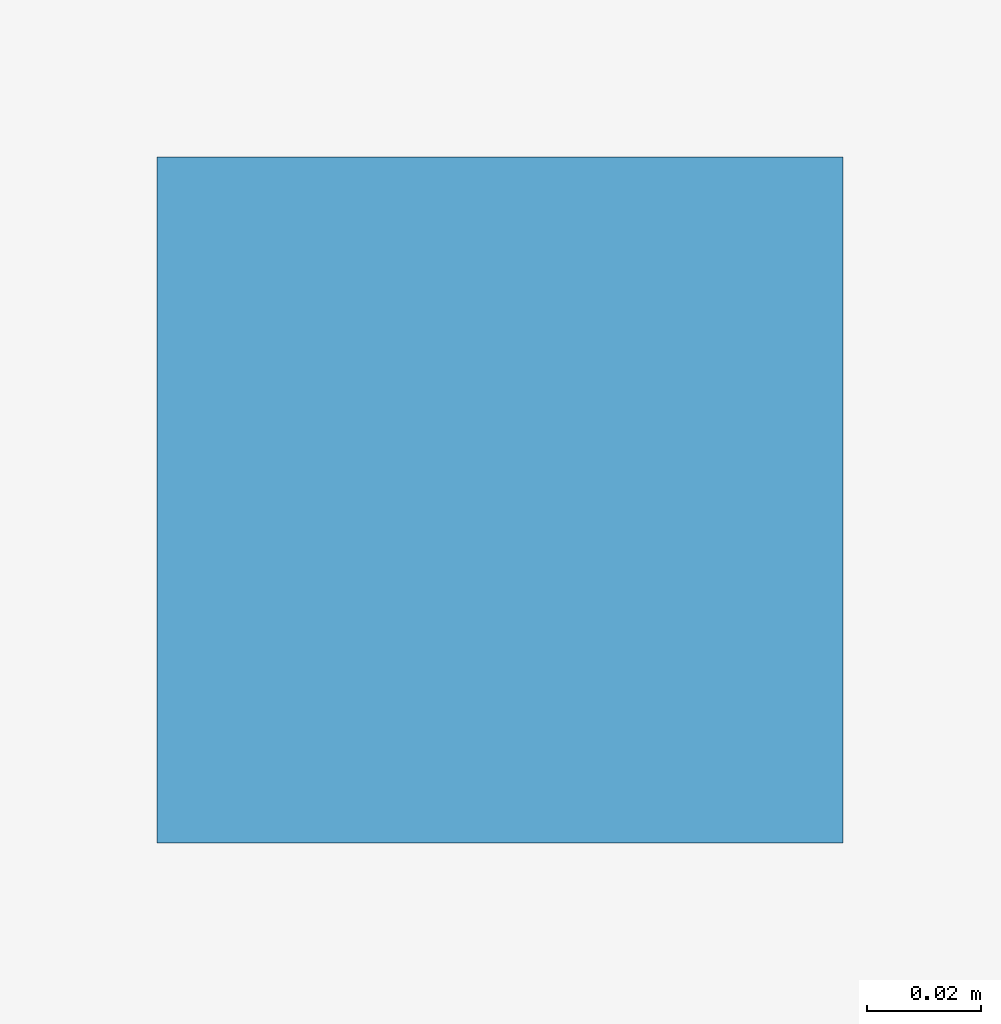
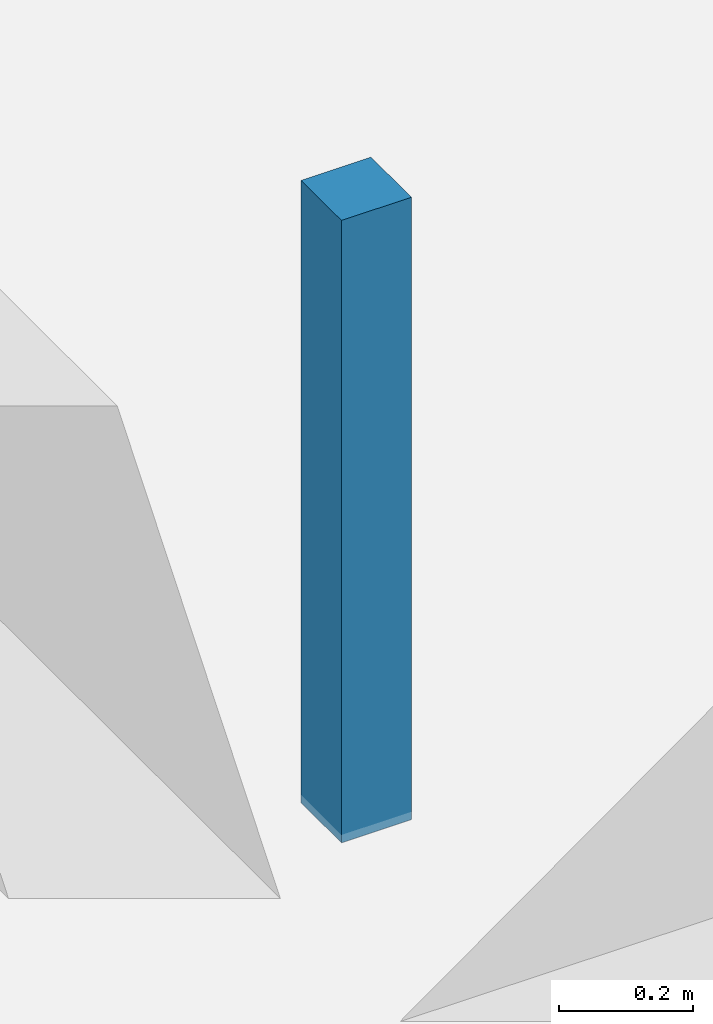
# One storey, part 29 of 41: 1 discrete accessory.
"""IFC4 building model written with IfcOpenShell, lengths in metres."""

import ifcopenshell
import ifcopenshell.guid

model = None  # the IFC model being written
_history = None  # IfcOwnerHistory: only IFC2X3 demands one
_inside = {}  # id of a spatial element -> (the spatial element, [elements in it])
_under = {}  # id of a project, library or spatial element -> (it, [spatial elements below it])
_declared = {}  # id of a project -> (the project, [libraries it declares])
_typed = {}  # id of a type object -> (the type object, [elements of that type])
_made_of = {}  # id of a material, layer set ... -> (it, [elements and type objects made of it])


def new_model(schema):
    """Start an empty IFC model of exactly this schema.

    Asked for "IFC4X3", IfcOpenShell would pick the latest addendum, in which some entities
    have other attributes; the version numbers below select the first issue.
    IFC2X3 requires an IfcOwnerHistory on every rooted entity: one is made here for all.
    """
    global model, _history
    if schema == "IFC4X3":
        model = ifcopenshell.file(schema_version=(4, 3, 0, 0))
    else:
        model = ifcopenshell.file(schema=schema)
    _inside.clear()
    _under.clear()
    _declared.clear()
    _typed.clear()
    _made_of.clear()
    _history = None
    if model.schema == "IFC2X3":
        org = make("IfcOrganization", Name="unknown")
        user = make(
            "IfcPersonAndOrganization",
            ThePerson=make("IfcPerson", FamilyName="unknown"),
            TheOrganization=org,
        )
        app = make(
            "IfcApplication",
            ApplicationDeveloper=org,
            Version="unknown",
            ApplicationFullName="unknown",
            ApplicationIdentifier="unknown",
        )
        _history = make(
            "IfcOwnerHistory",
            OwningUser=user,
            OwningApplication=app,
            ChangeAction="ADDED",
            CreationDate=0,
        )
    return model


def make(cls, **values):
    """One entity of the class cls with the attributes given. An attribute that is None is left unset."""
    return model.create_entity(
        cls, **{name: value for name, value in values.items() if value is not None}
    )


def rooted(cls, **values):
    """An entity with a GlobalId (a new one), such as an element, a storey or a relation."""
    return make(cls, GlobalId=ifcopenshell.guid.new(), OwnerHistory=_history, **values)


def si_unit(unit_type, name, prefix=None):
    """IfcSIUnit, for example si_unit("LENGTHUNIT", "METRE", prefix="MILLI")."""
    return make("IfcSIUnit", UnitType=unit_type, Prefix=prefix, Name=name)


def assignment(units):
    """IfcUnitAssignment: the units of a project."""
    return None if units is None else make("IfcUnitAssignment", Units=units)


def point(xyz):
    """IfcCartesianPoint."""
    return None if xyz is None else make("IfcCartesianPoint", Coordinates=xyz)


def direction(xyz):
    """IfcDirection."""
    return None if xyz is None else make("IfcDirection", DirectionRatios=xyz)


def frame(location, z_axis=None, x_axis=None):
    """IfcAxis2Placement3D, a coordinate frame: its origin and axes. An axis left out is left unset."""
    return make(
        "IfcAxis2Placement3D",
        Location=point(location),
        Axis=direction(z_axis),
        RefDirection=direction(x_axis),
    )


def frame_2d(location, x_axis=None):
    """IfcAxis2Placement2D, a coordinate frame in the plane: its origin and x axis."""
    return make(
        "IfcAxis2Placement2D", Location=point(location), RefDirection=direction(x_axis)
    )


def origin():
    """The frame at (0, 0, 0) with its axes left unset."""
    return frame((0.0, 0.0, 0.0))


def origin_2d():
    """The frame at (0, 0) in the plane with its x axis left unset."""
    return frame_2d((0.0, 0.0))


def place(relative_to, where):
    """IfcLocalPlacement: puts the frame where relative to a parent placement (None: the world)."""
    return make(
        "IfcLocalPlacement", PlacementRelTo=relative_to, RelativePlacement=where
    )


def context(
    kind, dimensions, precision=None, world=None, true_north=None, identifier=None
):
    """IfcGeometricRepresentationContext, for example the 3D "Model" context."""
    return make(
        "IfcGeometricRepresentationContext",
        ContextIdentifier=identifier,
        ContextType=kind,
        CoordinateSpaceDimension=dimensions,
        Precision=precision,
        WorldCoordinateSystem=world,
        TrueNorth=true_north,
    )


def subcontext(parent, identifier, kind, view, scale=None):
    """IfcGeometricRepresentationSubContext, for example "Body" below "Model"."""
    return make(
        "IfcGeometricRepresentationSubContext",
        ContextIdentifier=identifier,
        ContextType=kind,
        ParentContext=parent,
        TargetScale=scale,
        TargetView=view,
    )


def project(units=None, contexts=None):
    """IfcProject with its units and contexts."""
    return rooted(
        "IfcProject",
        Name="project",
        RepresentationContexts=contexts,
        UnitsInContext=assignment(units),
    )


def spatial(cls, under=None, at=None, **own):
    """A site, building, storey or space (cls), placed at a placement, below another one or the project."""
    s = rooted(cls, ObjectPlacement=at, **own)
    if under is not None:
        _under.setdefault(under.id(), (under, []))[1].append(s)
    return s


def profile(cls, at=None, kind="AREA", **sizes):
    """A parametric profile (cls). Its sizes go by their IFC names, for example OverallWidth=200.0."""
    return make(cls, ProfileType=kind, Position=at, **sizes)


def rectangle(**sizes):
    """IfcRectangleProfileDef."""
    return profile("IfcRectangleProfileDef", **sizes)


def extrude(swept, where, along, depth):
    """IfcExtrudedAreaSolid: the profile swept, set in the frame where, extruded along a direction by depth."""
    return make(
        "IfcExtrudedAreaSolid",
        SweptArea=swept,
        Position=where,
        ExtrudedDirection=direction(along),
        Depth=depth,
    )


def shape(context_of_items, identifier, shape_type, items):
    """IfcShapeRepresentation: the items that make up one representation, for example the "Body"."""
    return make(
        "IfcShapeRepresentation",
        ContextOfItems=context_of_items,
        RepresentationIdentifier=identifier,
        RepresentationType=shape_type,
        Items=items,
    )


def material(Name=None, Category=None):
    """IfcMaterial."""
    return make("IfcMaterial", Name=Name, Category=Category)


def made_of(thing, what):
    """Note that an element or type object is made of a material, layer set ...; save() writes the relation."""
    if what is not None:
        _made_of.setdefault(what.id(), (what, []))[1].append(thing)
    return thing


def type_object(cls, material=None, **own):
    """A type object (cls), such as IfcWallType, which elements share."""
    return made_of(rooted(cls, **own), material)


def element(
    cls,
    number,
    at=None,
    inside=None,
    cuts=None,
    type_object=None,
    material=None,
    context=None,
    identifier="Body",
    shape_type=None,
    held_by="IfcProductDefinitionShape",
    body=None,
    shapes=None,
    **own,
):
    """One element of the class cls, such as IfcWall. Its Tag is "e" and its number.

    at: its placement. inside: the storey or other place that contains it. cuts: it is an
    opening in that element (IfcRelVoidsElement). A single representation is given by context,
    identifier, shape_type and body (its items); several are given by shapes. held_by: the class
    of the entity that holds the representations. save() writes the other relations.
    """
    e = rooted(cls, Tag="e%d" % number, ObjectPlacement=at, **own)
    if body is not None:
        shapes = [shape(context, identifier, shape_type, body)]
    if shapes is not None:
        e.Representation = make(held_by, Representations=shapes)
    if inside is not None:
        _inside.setdefault(inside.id(), (inside, []))[1].append(e)
    if cuts is not None:
        rooted(
            "IfcRelVoidsElement", RelatingBuildingElement=cuts, RelatedOpeningElement=e
        )
    if type_object is not None:
        _typed.setdefault(type_object.id(), (type_object, []))[1].append(e)
    return made_of(e, material)


def aggregate(whole, parts):
    """IfcRelAggregates: a whole, such as a stair, and the parts it consists of."""
    return rooted("IfcRelAggregates", RelatingObject=whole, RelatedObjects=parts)


def save(model, path):
    """Write the relations noted so far, then the file.

    IfcRelAggregates (storeys below a building ...), IfcRelContainedInSpatialStructure (elements
    in a storey), IfcRelDefinesByType, IfcRelAssociatesMaterial and IfcRelDeclares: one each for
    every whole, place, type object, material and project.
    """
    for whole, parts in _under.values():
        aggregate(whole, parts)
    for where, things in _inside.values():
        rooted(
            "IfcRelContainedInSpatialStructure",
            RelatedElements=things,
            RelatingStructure=where,
        )
    for kind, things in _typed.values():
        rooted("IfcRelDefinesByType", RelatedObjects=things, RelatingType=kind)
    for what, things in _made_of.values():
        rooted("IfcRelAssociatesMaterial", RelatedObjects=things, RelatingMaterial=what)
    for by, libraries in _declared.values():
        rooted("IfcRelDeclares", RelatingContext=by, RelatedDefinitions=libraries)
    model.write(path)


model = new_model("IFC4")

# Units and contexts
model_context = context("Model", 3, precision=1e-05, world=origin(), true_north=direction((0.0, 1.0)))
body_context = subcontext(model_context, "Body", "Model", "MODEL_VIEW")
ifc_project = project(units=[si_unit("LENGTHUNIT", "METRE"), si_unit("AREAUNIT", "SQUARE_METRE"), si_unit("VOLUMEUNIT", "CUBIC_METRE"), si_unit("PLANEANGLEUNIT", "RADIAN"), si_unit("MASSUNIT", "GRAM", prefix="KILO")], contexts=[model_context])

# Site, building, storey
site_placement = place(None, origin())
site = spatial("IfcSite", under=ifc_project, at=site_placement, CompositionType="ELEMENT")
building_placement = place(site_placement, origin())
building = spatial("IfcBuilding", under=site, at=building_placement, Name="Fikremerkos Civic Library", CompositionType="ELEMENT")
storey_placement = place(building_placement, frame((0.0, 0.0, -8.39990234375)))
storey = spatial("IfcBuildingStorey", under=building, at=storey_placement, Name="B02", CompositionType="ELEMENT", Elevation=-8.39990234375)

# Discrete accessory
ifc_material = material(Name="Galvanized Steel S275", Category="steel")
discrete_accessory_type = type_object("IfcDiscreteAccessoryType", Name="Ceiling hanger bracket BRK-01", PredefinedType="BRACKET", material=ifc_material)
discrete_accessory_placement = place(storey_placement, frame((138.35009765625, 58.800048828125, 2.7900390625), z_axis=(0.0, 0.0, 1.0), x_axis=(1.0, 0.0, 0.0)))
element("IfcDiscreteAccessory", 1, at=discrete_accessory_placement, inside=storey, type_object=discrete_accessory_type, Name="Acoustic ceiling hanger bracket #9", PredefinedType="BRACKET", context=body_context, shape_type="SweptSolid", body=[
    extrude(rectangle(XDim=0.1201171875, YDim=0.1201171875, at=origin_2d()), origin(), (0.0, 0.0, 1.0), 1.1298828125),
])

save(model, "model.ifc")
